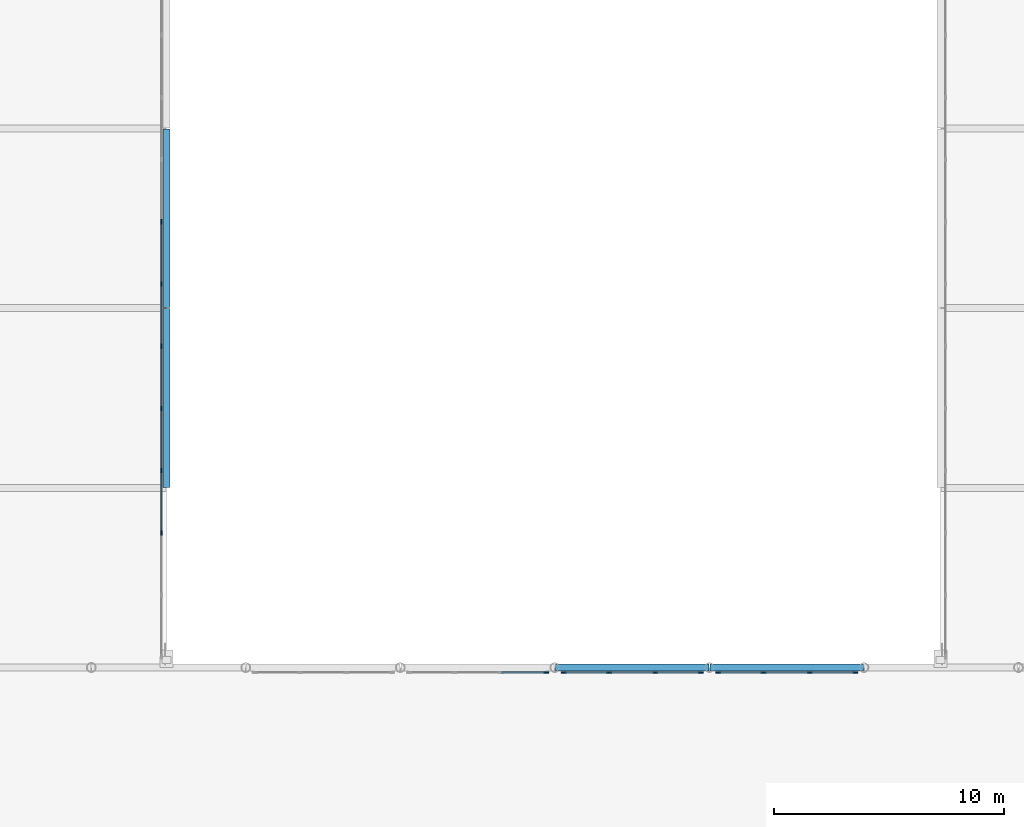
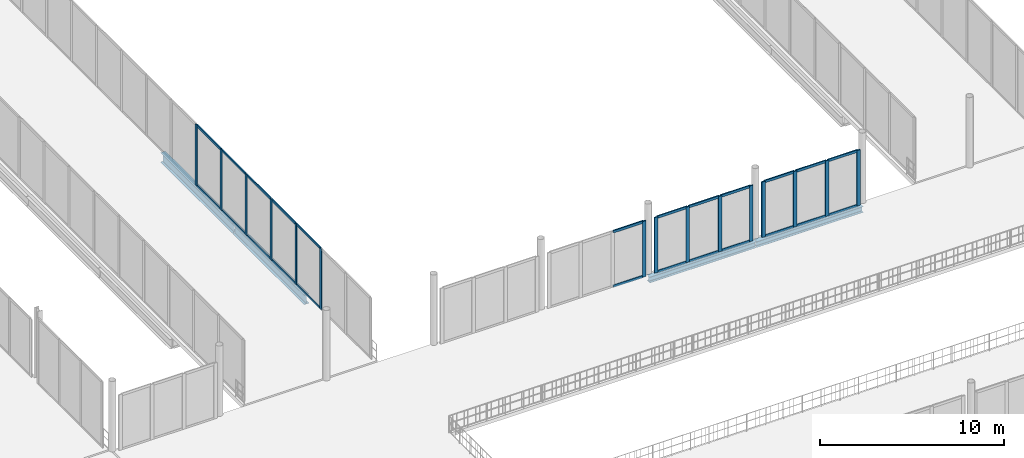
# One storey, part 31 of 98: 39 members, 4 beams, 4 elements without a shape of their own.
"""IFC4 building model written with IfcOpenShell, lengths in metres."""

from ifc_helpers import new_model, si_unit, direction, frame, origin, origin_2d, place, context, subcontext, project, spatial, rectangle, i_section, extrude, material, material_profile, profile_set, type_object, element, aggregate, save


model = new_model("IFC4")

# Units and contexts
model_context = context("Model", 3, precision=1e-05, world=origin(), true_north=direction((0.0, 1.0)))
body_context = subcontext(model_context, "Body", "Model", "MODEL_VIEW")
ifc_project = project(units=[si_unit("LENGTHUNIT", "METRE"), si_unit("AREAUNIT", "SQUARE_METRE"), si_unit("VOLUMEUNIT", "CUBIC_METRE"), si_unit("PLANEANGLEUNIT", "RADIAN"), si_unit("MASSUNIT", "GRAM", prefix="KILO")], contexts=[model_context])

# Site, building, storey
site_placement = place(None, origin())
site = spatial("IfcSite", under=ifc_project, at=site_placement, CompositionType="ELEMENT")
building_placement = place(site_placement, origin())
building = spatial("IfcBuilding", under=site, at=building_placement, Name="Nabrawat Pavilion Hospital", CompositionType="ELEMENT")
storey_placement = place(building_placement, frame((0.0, 0.0, 10.199951171875)))
storey = spatial("IfcBuildingStorey", under=building, at=storey_placement, Name="L02", CompositionType="ELEMENT", Elevation=10.199951171875)

# Beams
ifc_material_1 = material(Name="Steel S355", Category="steel")
ifc_material_profile_1 = material_profile(ifc_material_1, i_section(OverallWidth=0.300048828125, OverallDepth=0.64990234375, WebThickness=0.01611328125, FlangeThickness=0.031005859375, FilletRadius=0.027099609375, at=origin_2d()), Name="HEB 650")
ifc_profile_set_1 = profile_set([ifc_material_profile_1], Name="Steel S355")
beam_type_1 = type_object("IfcBeamType", Name="Courtyard Link Bridge Edge Girder HEB 650", PredefinedType="USERDEFINED", material=ifc_profile_set_1)
beam_1_placement = place(storey_placement, frame((75.60009765625, 46.820068359375, -0.614990234375), z_axis=(0.0, 1.0, 0.0), x_axis=(-1.0, 0.0, 0.0)))
element("IfcBeam", 1, at=beam_1_placement, inside=storey, type_object=beam_type_1, Name="L02 Courtyard Link Bridge Edge Girder 1247", ObjectType="GIRDER", PredefinedType="USERDEFINED", context=body_context, shape_type="SweptSolid", body=[
    extrude(i_section(OverallWidth=0.300048828125, OverallDepth=0.64990234375, WebThickness=0.01611328125, FlangeThickness=0.031005859375, FilletRadius=0.027099609375, at=origin_2d()), origin(), (0.0, 0.0, 1.0), 7.760009765625),
])
beam_2_placement = place(storey_placement, frame((75.60009765625, 54.6201171875, -0.614990234375), z_axis=(0.0, 1.0, 0.0), x_axis=(-1.0, 0.0, 0.0)))
element("IfcBeam", 2, at=beam_2_placement, inside=storey, type_object=beam_type_1, Name="L02 Courtyard Link Bridge Edge Girder 1248", ObjectType="GIRDER", PredefinedType="USERDEFINED", context=body_context, shape_type="SweptSolid", body=[
    extrude(i_section(OverallWidth=0.300048828125, OverallDepth=0.64990234375, WebThickness=0.01611328125, FlangeThickness=0.031005859375, FilletRadius=0.027099609375, at=origin_2d()), origin(), (0.0, 0.0, 1.0), 7.759765625),
])

# Curtain wall, members
ifc_material_2 = material(Name="Anodised Aluminium", Category="aluminium")
curtain_wall_type_1 = type_object("IfcCurtainWallType", Name="Courtyard Link Bridge Glazed Curtain Wall", PredefinedType="USERDEFINED", material=ifc_material_2)
curtain_wall_1_placement = place(storey_placement, origin())
curtain_wall_1 = element("IfcCurtainWall", 3, at=curtain_wall_1_placement, inside=storey, type_object=curtain_wall_type_1, Name="L02 Courtyard Link Bridge Glazed Curtain Wall 118", ObjectType="CURTAIN WALL", PredefinedType="USERDEFINED")
ifc_material_profile_2 = material_profile(ifc_material_2, rectangle(XDim=0.070068359375, YDim=0.199951171875, at=origin_2d()), Name="CWM 70x200")
ifc_profile_set_2 = profile_set([ifc_material_profile_2], Name="Anodised Aluminium")
member_type_1 = type_object("IfcMemberType", Name="Courtyard Link Bridge Glazed Curtain Wall Mullion CWM 70x200", PredefinedType="MULLION", material=ifc_profile_set_2)
member_1_placement = place(storey_placement, frame((75.3798828125, 44.84228515625, 0.0), z_axis=(0.0, 0.0, 1.0), x_axis=(-1.0, 0.0, 0.0)))
member_1 = element("IfcMember", 4, at=member_1_placement, type_object=member_type_1, Name="CW-BRG-01 mullion 3", PredefinedType="MULLION", context=body_context, shape_type="SweptSolid", body=[
    extrude(rectangle(XDim=0.070068359375, YDim=0.199951171875, at=origin_2d()), origin(), (0.0, 0.0, 1.0), 4.0400390625),
])
member_2_placement = place(storey_placement, frame((75.3798828125, 47.54345703125, 0.0), z_axis=(0.0, 0.0, 1.0), x_axis=(-1.0, 0.0, 0.0)))
member_2 = element("IfcMember", 5, at=member_2_placement, type_object=member_type_1, Name="CW-BRG-01 mullion 4", PredefinedType="MULLION", context=body_context, shape_type="SweptSolid", body=[
    extrude(rectangle(XDim=0.070068359375, YDim=0.199951171875, at=origin_2d()), origin(), (0.0, 0.0, 1.0), 4.0400390625),
])
member_3_placement = place(storey_placement, frame((75.3798828125, 50.24462890625, 0.0), z_axis=(0.0, 0.0, 1.0), x_axis=(-1.0, 0.0, 0.0)))
member_3 = element("IfcMember", 6, at=member_3_placement, type_object=member_type_1, Name="CW-BRG-01 mullion 5", PredefinedType="MULLION", context=body_context, shape_type="SweptSolid", body=[
    extrude(rectangle(XDim=0.070068359375, YDim=0.199951171875, at=origin_2d()), origin(), (0.0, 0.0, 1.0), 4.0400390625),
])
member_4_placement = place(storey_placement, frame((75.3798828125, 52.94580078125, 0.0), z_axis=(0.0, 0.0, 1.0), x_axis=(-1.0, 0.0, 0.0)))
member_4 = element("IfcMember", 7, at=member_4_placement, type_object=member_type_1, Name="CW-BRG-01 mullion 6", PredefinedType="MULLION", context=body_context, shape_type="SweptSolid", body=[
    extrude(rectangle(XDim=0.070068359375, YDim=0.199951171875, at=origin_2d()), origin(), (0.0, 0.0, 1.0), 4.0400390625),
])
member_5_placement = place(storey_placement, frame((75.3798828125, 55.64697265625, 0.0), z_axis=(0.0, 0.0, 1.0), x_axis=(-1.0, 0.0, 0.0)))
member_5 = element("IfcMember", 8, at=member_5_placement, type_object=member_type_1, Name="CW-BRG-01 mullion 7", PredefinedType="MULLION", context=body_context, shape_type="SweptSolid", body=[
    extrude(rectangle(XDim=0.070068359375, YDim=0.199951171875, at=origin_2d()), origin(), (0.0, 0.0, 1.0), 4.0400390625),
])
member_6_placement = place(storey_placement, frame((75.3798828125, 58.34814453125, 0.0), z_axis=(0.0, 0.0, 1.0), x_axis=(-1.0, 0.0, 0.0)))
member_6 = element("IfcMember", 9, at=member_6_placement, type_object=member_type_1, Name="CW-BRG-01 mullion 8", PredefinedType="MULLION", context=body_context, shape_type="SweptSolid", body=[
    extrude(rectangle(XDim=0.070068359375, YDim=0.199951171875, at=origin_2d()), origin(), (0.0, 0.0, 1.0), 4.0400390625),
])
ifc_material_profile_3 = material_profile(ifc_material_2, rectangle(XDim=0.070068359375, YDim=0.14990234375, at=origin_2d()), Name="CWT 70x150")
ifc_profile_set_3 = profile_set([ifc_material_profile_3], Name="Anodised Aluminium")
member_type_2 = type_object("IfcMemberType", Name="Courtyard Link Bridge Glazed Curtain Wall Transom CWT 70x150", PredefinedType="USERDEFINED", material=ifc_profile_set_3)
member_7_placement = place(storey_placement, frame((75.3798828125, 44.87744140625, 0.03515625), z_axis=(0.0, 1.0, 0.0), x_axis=(-1.0, 0.0, 0.0)))
member_7 = element("IfcMember", 10, at=member_7_placement, type_object=member_type_2, Name="CW-BRG-01 transom 3.1", ObjectType="TRANSOM", PredefinedType="USERDEFINED", context=body_context, shape_type="SweptSolid", body=[
    extrude(rectangle(XDim=0.070068359375, YDim=0.14990234375, at=origin_2d()), origin(), (0.0, 0.0, 1.0), 2.631103515625),
])
member_8_placement = place(storey_placement, frame((75.3798828125, 44.87744140625, 4.005126953125), z_axis=(0.0, 1.0, 0.0), x_axis=(-1.0, 0.0, 0.0)))
member_8 = element("IfcMember", 11, at=member_8_placement, type_object=member_type_2, Name="CW-BRG-01 transom 3.2", ObjectType="TRANSOM", PredefinedType="USERDEFINED", context=body_context, shape_type="SweptSolid", body=[
    extrude(rectangle(XDim=0.070068359375, YDim=0.14990234375, at=origin_2d()), origin(), (0.0, 0.0, 1.0), 2.631103515625),
])
member_9_placement = place(storey_placement, frame((75.3798828125, 47.57861328125, 0.03515625), z_axis=(0.0, 1.0, 0.0), x_axis=(-1.0, 0.0, 0.0)))
member_9 = element("IfcMember", 12, at=member_9_placement, type_object=member_type_2, Name="CW-BRG-01 transom 4.1", ObjectType="TRANSOM", PredefinedType="USERDEFINED", context=body_context, shape_type="SweptSolid", body=[
    extrude(rectangle(XDim=0.070068359375, YDim=0.14990234375, at=origin_2d()), origin(), (0.0, 0.0, 1.0), 2.631103515625),
])
member_10_placement = place(storey_placement, frame((75.3798828125, 47.57861328125, 4.005126953125), z_axis=(0.0, 1.0, 0.0), x_axis=(-1.0, 0.0, 0.0)))
member_10 = element("IfcMember", 13, at=member_10_placement, type_object=member_type_2, Name="CW-BRG-01 transom 4.2", ObjectType="TRANSOM", PredefinedType="USERDEFINED", context=body_context, shape_type="SweptSolid", body=[
    extrude(rectangle(XDim=0.070068359375, YDim=0.14990234375, at=origin_2d()), origin(), (0.0, 0.0, 1.0), 2.631103515625),
])
member_11_placement = place(storey_placement, frame((75.3798828125, 50.27978515625, 0.03515625), z_axis=(0.0, 1.0, 0.0), x_axis=(-1.0, 0.0, 0.0)))
member_11 = element("IfcMember", 14, at=member_11_placement, type_object=member_type_2, Name="CW-BRG-01 transom 5.1", ObjectType="TRANSOM", PredefinedType="USERDEFINED", context=body_context, shape_type="SweptSolid", body=[
    extrude(rectangle(XDim=0.070068359375, YDim=0.14990234375, at=origin_2d()), origin(), (0.0, 0.0, 1.0), 2.631103515625),
])
member_12_placement = place(storey_placement, frame((75.3798828125, 50.27978515625, 4.005126953125), z_axis=(0.0, 1.0, 0.0), x_axis=(-1.0, 0.0, 0.0)))
member_12 = element("IfcMember", 15, at=member_12_placement, type_object=member_type_2, Name="CW-BRG-01 transom 5.2", ObjectType="TRANSOM", PredefinedType="USERDEFINED", context=body_context, shape_type="SweptSolid", body=[
    extrude(rectangle(XDim=0.070068359375, YDim=0.14990234375, at=origin_2d()), origin(), (0.0, 0.0, 1.0), 2.631103515625),
])
member_13_placement = place(storey_placement, frame((75.3798828125, 52.98095703125, 0.03515625), z_axis=(0.0, 1.0, 0.0), x_axis=(-1.0, 0.0, 0.0)))
member_13 = element("IfcMember", 16, at=member_13_placement, type_object=member_type_2, Name="CW-BRG-01 transom 6.1", ObjectType="TRANSOM", PredefinedType="USERDEFINED", context=body_context, shape_type="SweptSolid", body=[
    extrude(rectangle(XDim=0.070068359375, YDim=0.14990234375, at=origin_2d()), origin(), (0.0, 0.0, 1.0), 2.631103515625),
])
member_14_placement = place(storey_placement, frame((75.3798828125, 52.98095703125, 4.005126953125), z_axis=(0.0, 1.0, 0.0), x_axis=(-1.0, 0.0, 0.0)))
member_14 = element("IfcMember", 17, at=member_14_placement, type_object=member_type_2, Name="CW-BRG-01 transom 6.2", ObjectType="TRANSOM", PredefinedType="USERDEFINED", context=body_context, shape_type="SweptSolid", body=[
    extrude(rectangle(XDim=0.070068359375, YDim=0.14990234375, at=origin_2d()), origin(), (0.0, 0.0, 1.0), 2.631103515625),
])
member_15_placement = place(storey_placement, frame((75.3798828125, 55.68212890625, 0.03515625), z_axis=(0.0, 1.0, 0.0), x_axis=(-1.0, 0.0, 0.0)))
member_15 = element("IfcMember", 18, at=member_15_placement, type_object=member_type_2, Name="CW-BRG-01 transom 7.1", ObjectType="TRANSOM", PredefinedType="USERDEFINED", context=body_context, shape_type="SweptSolid", body=[
    extrude(rectangle(XDim=0.070068359375, YDim=0.14990234375, at=origin_2d()), origin(), (0.0, 0.0, 1.0), 2.631103515625),
])
member_16_placement = place(storey_placement, frame((75.3798828125, 55.68212890625, 4.005126953125), z_axis=(0.0, 1.0, 0.0), x_axis=(-1.0, 0.0, 0.0)))
member_16 = element("IfcMember", 19, at=member_16_placement, type_object=member_type_2, Name="CW-BRG-01 transom 7.2", ObjectType="TRANSOM", PredefinedType="USERDEFINED", context=body_context, shape_type="SweptSolid", body=[
    extrude(rectangle(XDim=0.070068359375, YDim=0.14990234375, at=origin_2d()), origin(), (0.0, 0.0, 1.0), 2.631103515625),
])
aggregate(curtain_wall_1, [member_1, member_2, member_3, member_4, member_5, member_6, member_7, member_8, member_9, member_10, member_11, member_12, member_13, member_14, member_15, member_16])

# Curtain wall, member
curtain_wall_type_2 = type_object("IfcCurtainWallType", Name="Main Hall Pavilion Unitised Curtain Wall", PredefinedType="USERDEFINED", material=ifc_material_2)
curtain_wall_2_placement = place(storey_placement, origin())
curtain_wall_2 = element("IfcCurtainWall", 20, at=curtain_wall_2_placement, inside=storey, type_object=curtain_wall_type_2, Name="L02 Main Hall Pavilion Unitised Curtain Wall 120", ObjectType="CURTAIN WALL", PredefinedType="USERDEFINED")
ifc_material_profile_4 = material_profile(ifc_material_2, rectangle(XDim=0.074951171875, YDim=0.219970703125, at=origin_2d()), Name="CWM 75x220")
ifc_profile_set_4 = profile_set([ifc_material_profile_4], Name="Anodised Aluminium")
member_type_3 = type_object("IfcMemberType", Name="Main Hall Pavilion Unitised Curtain Wall Mullion CWM 75x220", PredefinedType="MULLION", material=ifc_profile_set_4)
member_17_placement = place(storey_placement, frame((92.079345703125, 38.780029296875, 0.0), z_axis=(0.0, 0.0, 1.0), x_axis=(0.0, 1.0, 0.0)))
member_17 = element("IfcMember", 21, at=member_17_placement, type_object=member_type_3, Name="CW-MH-01 mullion 4", PredefinedType="MULLION", context=body_context, shape_type="SweptSolid", body=[
    extrude(rectangle(XDim=0.074951171875, YDim=0.219970703125, at=origin_2d()), origin(), (0.0, 0.0, 1.0), 3.679931640625),
])

# Curtain wall, members
curtain_wall_3_placement = place(storey_placement, origin())
curtain_wall_3 = element("IfcCurtainWall", 22, at=curtain_wall_3_placement, inside=storey, type_object=curtain_wall_type_2, Name="L02 Main Hall Pavilion Unitised Curtain Wall 121", ObjectType="CURTAIN WALL", PredefinedType="USERDEFINED")
member_18_placement = place(storey_placement, frame((92.8408203125, 38.780029296875, 0.0), z_axis=(0.0, 0.0, 1.0), x_axis=(0.0, 1.0, 0.0)))
member_18 = element("IfcMember", 23, at=member_18_placement, type_object=member_type_3, Name="CW-MH-01 mullion 1", PredefinedType="MULLION", context=body_context, shape_type="SweptSolid", body=[
    extrude(rectangle(XDim=0.074951171875, YDim=0.219970703125, at=origin_2d()), origin(), (0.0, 0.0, 1.0), 3.679931640625),
])
member_19_placement = place(storey_placement, frame((94.810302734375, 38.780029296875, 0.0), z_axis=(0.0, 0.0, 1.0), x_axis=(0.0, 1.0, 0.0)))
member_19 = element("IfcMember", 24, at=member_19_placement, type_object=member_type_3, Name="CW-MH-01 mullion 2", PredefinedType="MULLION", context=body_context, shape_type="SweptSolid", body=[
    extrude(rectangle(XDim=0.074951171875, YDim=0.219970703125, at=origin_2d()), origin(), (0.0, 0.0, 1.0), 3.679931640625),
])
member_20_placement = place(storey_placement, frame((96.817626953125, 38.780029296875, 0.0), z_axis=(0.0, 0.0, 1.0), x_axis=(0.0, 1.0, 0.0)))
member_20 = element("IfcMember", 25, at=member_20_placement, type_object=member_type_3, Name="CW-MH-01 mullion 3", PredefinedType="MULLION", context=body_context, shape_type="SweptSolid", body=[
    extrude(rectangle(XDim=0.074951171875, YDim=0.219970703125, at=origin_2d()), origin(), (0.0, 0.0, 1.0), 3.679931640625),
])
member_21_placement = place(storey_placement, frame((98.787353515625, 38.780029296875, 0.0), z_axis=(0.0, 0.0, 1.0), x_axis=(0.0, 1.0, 0.0)))
member_21 = element("IfcMember", 26, at=member_21_placement, type_object=member_type_3, Name="CW-MH-01 mullion 4", PredefinedType="MULLION", context=body_context, shape_type="SweptSolid", body=[
    extrude(rectangle(XDim=0.074951171875, YDim=0.219970703125, at=origin_2d()), origin(), (0.0, 0.0, 1.0), 3.679931640625),
])

curtain_wall_4_placement = place(storey_placement, origin())
curtain_wall_4 = element("IfcCurtainWall", 27, at=curtain_wall_4_placement, inside=storey, type_object=curtain_wall_type_2, Name="L02 Main Hall Pavilion Unitised Curtain Wall 122", ObjectType="CURTAIN WALL", PredefinedType="USERDEFINED")
member_22_placement = place(storey_placement, frame((99.548583984375, 38.780029296875, 0.0), z_axis=(0.0, 0.0, 1.0), x_axis=(0.0, 1.0, 0.0)))
member_22 = element("IfcMember", 28, at=member_22_placement, type_object=member_type_3, Name="CW-MH-01 mullion 1", PredefinedType="MULLION", context=body_context, shape_type="SweptSolid", body=[
    extrude(rectangle(XDim=0.074951171875, YDim=0.219970703125, at=origin_2d()), origin(), (0.0, 0.0, 1.0), 3.679931640625),
])
member_23_placement = place(storey_placement, frame((101.518310546875, 38.780029296875, 0.0), z_axis=(0.0, 0.0, 1.0), x_axis=(0.0, 1.0, 0.0)))
member_23 = element("IfcMember", 29, at=member_23_placement, type_object=member_type_3, Name="CW-MH-01 mullion 2", PredefinedType="MULLION", context=body_context, shape_type="SweptSolid", body=[
    extrude(rectangle(XDim=0.074951171875, YDim=0.219970703125, at=origin_2d()), origin(), (0.0, 0.0, 1.0), 3.679931640625),
])
member_24_placement = place(storey_placement, frame((103.525634765625, 38.780029296875, 0.0), z_axis=(0.0, 0.0, 1.0), x_axis=(0.0, 1.0, 0.0)))
member_24 = element("IfcMember", 30, at=member_24_placement, type_object=member_type_3, Name="CW-MH-01 mullion 3", PredefinedType="MULLION", context=body_context, shape_type="SweptSolid", body=[
    extrude(rectangle(XDim=0.074951171875, YDim=0.219970703125, at=origin_2d()), origin(), (0.0, 0.0, 1.0), 3.679931640625),
])
member_25_placement = place(storey_placement, frame((105.495361328125, 38.780029296875, 0.0), z_axis=(0.0, 0.0, 1.0), x_axis=(0.0, 1.0, 0.0)))
member_25 = element("IfcMember", 31, at=member_25_placement, type_object=member_type_3, Name="CW-MH-01 mullion 4", PredefinedType="MULLION", context=body_context, shape_type="SweptSolid", body=[
    extrude(rectangle(XDim=0.074951171875, YDim=0.219970703125, at=origin_2d()), origin(), (0.0, 0.0, 1.0), 3.679931640625),
])

# Member
ifc_material_profile_5 = material_profile(ifc_material_2, rectangle(XDim=0.074951171875, YDim=0.1650390625, at=origin_2d()), Name="CWT 75x165")
ifc_profile_set_5 = profile_set([ifc_material_profile_5], Name="Anodised Aluminium")
member_type_4 = type_object("IfcMemberType", Name="Main Hall Pavilion Unitised Curtain Wall Transom CWT 75x165", PredefinedType="USERDEFINED", material=ifc_profile_set_5)
member_26_placement = place(storey_placement, frame((90.147216796875, 38.780029296875, 0.03759765625), z_axis=(1.0, 0.0, 0.0), x_axis=(0.0, 1.0, 0.0)))
member_26 = element("IfcMember", 32, at=member_26_placement, type_object=member_type_4, Name="CW-MH-01 transom 3.1", ObjectType="TRANSOM", PredefinedType="USERDEFINED", context=body_context, shape_type="SweptSolid", body=[
    extrude(rectangle(XDim=0.074951171875, YDim=0.1650390625, at=origin_2d()), origin(), (0.0, 0.0, 1.0), 1.89453125),
])

member_27_placement = place(storey_placement, frame((90.147216796875, 38.780029296875, 3.642578125), z_axis=(1.0, 0.0, 0.0), x_axis=(0.0, 1.0, 0.0)))
member_27 = element("IfcMember", 33, at=member_27_placement, type_object=member_type_4, Name="CW-MH-01 transom 3.2", ObjectType="TRANSOM", PredefinedType="USERDEFINED", context=body_context, shape_type="SweptSolid", body=[
    extrude(rectangle(XDim=0.074951171875, YDim=0.1650390625, at=origin_2d()), origin(), (0.0, 0.0, 1.0), 1.89453125),
])

aggregate(curtain_wall_2, [member_17, member_26, member_27])

member_28_placement = place(storey_placement, frame((92.878173828125, 38.780029296875, 0.03759765625), z_axis=(1.0, 0.0, 0.0), x_axis=(0.0, 1.0, 0.0)))
member_28 = element("IfcMember", 34, at=member_28_placement, type_object=member_type_4, Name="CW-MH-01 transom 1.1", ObjectType="TRANSOM", PredefinedType="USERDEFINED", context=body_context, shape_type="SweptSolid", body=[
    extrude(rectangle(XDim=0.074951171875, YDim=0.1650390625, at=origin_2d()), origin(), (0.0, 0.0, 1.0), 1.894775390625),
])

member_29_placement = place(storey_placement, frame((92.878173828125, 38.780029296875, 3.642578125), z_axis=(1.0, 0.0, 0.0), x_axis=(0.0, 1.0, 0.0)))
member_29 = element("IfcMember", 35, at=member_29_placement, type_object=member_type_4, Name="CW-MH-01 transom 1.2", ObjectType="TRANSOM", PredefinedType="USERDEFINED", context=body_context, shape_type="SweptSolid", body=[
    extrude(rectangle(XDim=0.074951171875, YDim=0.1650390625, at=origin_2d()), origin(), (0.0, 0.0, 1.0), 1.894775390625),
])

member_30_placement = place(storey_placement, frame((94.847900390625, 38.780029296875, 0.03759765625), z_axis=(1.0, 0.0, 0.0), x_axis=(0.0, 1.0, 0.0)))
member_30 = element("IfcMember", 36, at=member_30_placement, type_object=member_type_4, Name="CW-MH-01 transom 2.1", ObjectType="TRANSOM", PredefinedType="USERDEFINED", context=body_context, shape_type="SweptSolid", body=[
    extrude(rectangle(XDim=0.074951171875, YDim=0.1650390625, at=origin_2d()), origin(), (0.0, 0.0, 1.0), 1.93212890625),
])

member_31_placement = place(storey_placement, frame((94.847900390625, 38.780029296875, 3.642578125), z_axis=(1.0, 0.0, 0.0), x_axis=(0.0, 1.0, 0.0)))
member_31 = element("IfcMember", 37, at=member_31_placement, type_object=member_type_4, Name="CW-MH-01 transom 2.2", ObjectType="TRANSOM", PredefinedType="USERDEFINED", context=body_context, shape_type="SweptSolid", body=[
    extrude(rectangle(XDim=0.074951171875, YDim=0.1650390625, at=origin_2d()), origin(), (0.0, 0.0, 1.0), 1.93212890625),
])

member_32_placement = place(storey_placement, frame((96.85498046875, 38.780029296875, 0.03759765625), z_axis=(1.0, 0.0, 0.0), x_axis=(0.0, 1.0, 0.0)))
member_32 = element("IfcMember", 38, at=member_32_placement, type_object=member_type_4, Name="CW-MH-01 transom 3.1", ObjectType="TRANSOM", PredefinedType="USERDEFINED", context=body_context, shape_type="SweptSolid", body=[
    extrude(rectangle(XDim=0.074951171875, YDim=0.1650390625, at=origin_2d()), origin(), (0.0, 0.0, 1.0), 1.894775390625),
])

member_33_placement = place(storey_placement, frame((96.85498046875, 38.780029296875, 3.642578125), z_axis=(1.0, 0.0, 0.0), x_axis=(0.0, 1.0, 0.0)))
member_33 = element("IfcMember", 39, at=member_33_placement, type_object=member_type_4, Name="CW-MH-01 transom 3.2", ObjectType="TRANSOM", PredefinedType="USERDEFINED", context=body_context, shape_type="SweptSolid", body=[
    extrude(rectangle(XDim=0.074951171875, YDim=0.1650390625, at=origin_2d()), origin(), (0.0, 0.0, 1.0), 1.894775390625),
])

aggregate(curtain_wall_3, [member_18, member_19, member_20, member_21, member_28, member_29, member_30, member_31, member_32, member_33])

member_34_placement = place(storey_placement, frame((99.586181640625, 38.780029296875, 0.03759765625), z_axis=(1.0, 0.0, 0.0), x_axis=(0.0, 1.0, 0.0)))
member_34 = element("IfcMember", 40, at=member_34_placement, type_object=member_type_4, Name="CW-MH-01 transom 1.1", ObjectType="TRANSOM", PredefinedType="USERDEFINED", context=body_context, shape_type="SweptSolid", body=[
    extrude(rectangle(XDim=0.074951171875, YDim=0.1650390625, at=origin_2d()), origin(), (0.0, 0.0, 1.0), 1.894775390625),
])

member_35_placement = place(storey_placement, frame((99.586181640625, 38.780029296875, 3.642578125), z_axis=(1.0, 0.0, 0.0), x_axis=(0.0, 1.0, 0.0)))
member_35 = element("IfcMember", 41, at=member_35_placement, type_object=member_type_4, Name="CW-MH-01 transom 1.2", ObjectType="TRANSOM", PredefinedType="USERDEFINED", context=body_context, shape_type="SweptSolid", body=[
    extrude(rectangle(XDim=0.074951171875, YDim=0.1650390625, at=origin_2d()), origin(), (0.0, 0.0, 1.0), 1.894775390625),
])

member_36_placement = place(storey_placement, frame((101.555908203125, 38.780029296875, 0.03759765625), z_axis=(1.0, 0.0, 0.0), x_axis=(0.0, 1.0, 0.0)))
member_36 = element("IfcMember", 42, at=member_36_placement, type_object=member_type_4, Name="CW-MH-01 transom 2.1", ObjectType="TRANSOM", PredefinedType="USERDEFINED", context=body_context, shape_type="SweptSolid", body=[
    extrude(rectangle(XDim=0.074951171875, YDim=0.1650390625, at=origin_2d()), origin(), (0.0, 0.0, 1.0), 1.93212890625),
])

member_37_placement = place(storey_placement, frame((101.555908203125, 38.780029296875, 3.642578125), z_axis=(1.0, 0.0, 0.0), x_axis=(0.0, 1.0, 0.0)))
member_37 = element("IfcMember", 43, at=member_37_placement, type_object=member_type_4, Name="CW-MH-01 transom 2.2", ObjectType="TRANSOM", PredefinedType="USERDEFINED", context=body_context, shape_type="SweptSolid", body=[
    extrude(rectangle(XDim=0.074951171875, YDim=0.1650390625, at=origin_2d()), origin(), (0.0, 0.0, 1.0), 1.93212890625),
])

member_38_placement = place(storey_placement, frame((103.56298828125, 38.780029296875, 0.03759765625), z_axis=(1.0, 0.0, 0.0), x_axis=(0.0, 1.0, 0.0)))
member_38 = element("IfcMember", 44, at=member_38_placement, type_object=member_type_4, Name="CW-MH-01 transom 3.1", ObjectType="TRANSOM", PredefinedType="USERDEFINED", context=body_context, shape_type="SweptSolid", body=[
    extrude(rectangle(XDim=0.074951171875, YDim=0.1650390625, at=origin_2d()), origin(), (0.0, 0.0, 1.0), 1.894775390625),
])

member_39_placement = place(storey_placement, frame((103.56298828125, 38.780029296875, 3.642578125), z_axis=(1.0, 0.0, 0.0), x_axis=(0.0, 1.0, 0.0)))
member_39 = element("IfcMember", 45, at=member_39_placement, type_object=member_type_4, Name="CW-MH-01 transom 3.2", ObjectType="TRANSOM", PredefinedType="USERDEFINED", context=body_context, shape_type="SweptSolid", body=[
    extrude(rectangle(XDim=0.074951171875, YDim=0.1650390625, at=origin_2d()), origin(), (0.0, 0.0, 1.0), 1.894775390625),
])

aggregate(curtain_wall_4, [member_22, member_23, member_24, member_25, member_34, member_35, member_36, member_37, member_38, member_39])

# Beams
ifc_material_profile_6 = material_profile(ifc_material_1, i_section(OverallWidth=0.300048828125, OverallDepth=0.389892578125, WebThickness=0.010986328125, FlangeThickness=0.01904296875, FilletRadius=0.027099609375, at=origin_2d()), Name="HEA 400")
ifc_profile_set_6 = profile_set([ifc_material_profile_6], Name="Steel S355")
beam_type_2 = type_object("IfcBeamType", Name="Perimeter Moment Spandrel Beam HEA 400", PredefinedType="SPANDREL", material=ifc_profile_set_6)
for number, where, z_axis, x_axis, name in (
    (46, (92.47998046875, 39.0, -0.43505859375), (1.0, 0.0, 0.0), (0.0, 1.0, 0.0), "L02 Primary X Girder 1001"),
    (47, (99.18798828125, 39.0, -0.43505859375), (1.0, 0.0, 0.0), (0.0, 1.0, 0.0), "L02 Primary X Girder 1002"),
):
    element("IfcBeam", number, at=place(storey_placement, frame(where, z_axis=z_axis, x_axis=x_axis)), inside=storey, type_object=beam_type_2, Name=name, PredefinedType="SPANDREL", context=body_context, shape_type="SweptSolid", body=[
        extrude(i_section(OverallWidth=0.300048828125, OverallDepth=0.389892578125, WebThickness=0.010986328125, FlangeThickness=0.01904296875, FilletRadius=0.027099609375, at=origin_2d()), origin(), (0.0, 0.0, 1.0), 6.66796875),
    ])

save(model, "model.ifc")
